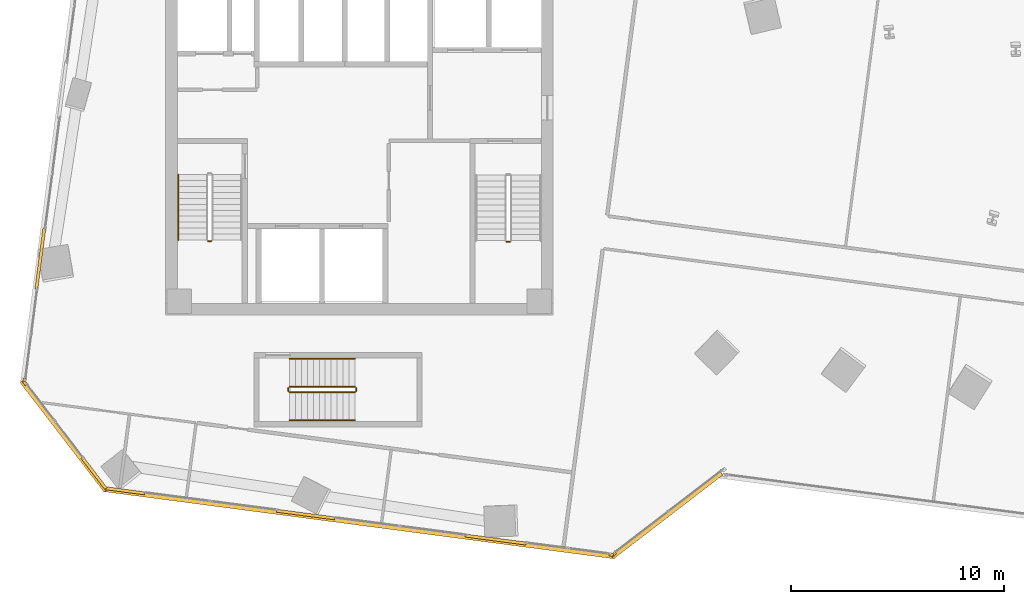
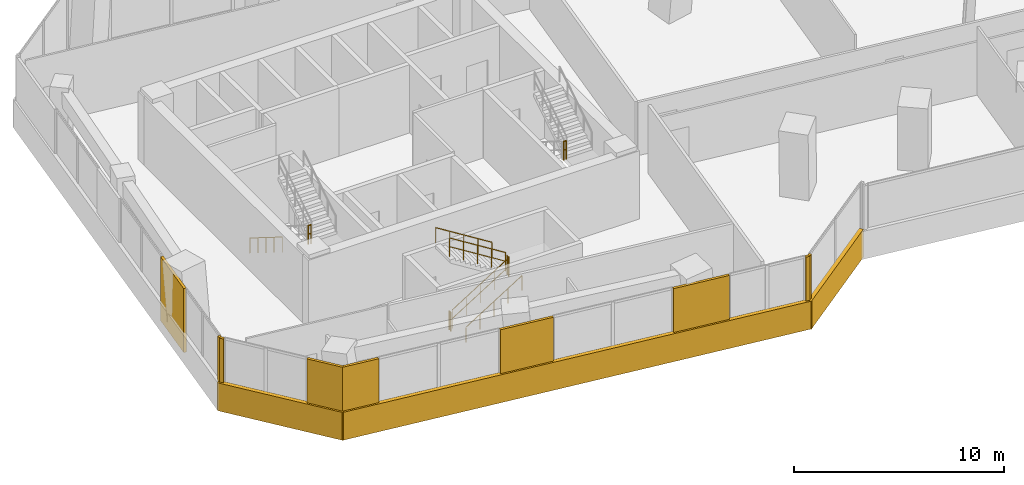
# One storey, part 21 of 24: 12 coverings, 9 railings.
"""IFC4 building model written with IfcOpenShell, lengths in metres."""

from ifc_helpers import new_model, si_unit, direction, frame, origin, origin_2d, place, context, subcontext, project, spatial, rectangle, circle, extrude, source, transform, mapped, material, layer, layer_set, type_object, element, save


model = new_model("IFC4")

# Units and contexts
model_context = context("Model", 3, precision=1e-05, world=origin(), true_north=direction((0.0, 1.0)))
body_context = subcontext(model_context, "Body", "Model", "MODEL_VIEW")
ifc_project = project(units=[si_unit("LENGTHUNIT", "METRE"), si_unit("AREAUNIT", "SQUARE_METRE"), si_unit("VOLUMEUNIT", "CUBIC_METRE"), si_unit("PLANEANGLEUNIT", "RADIAN"), si_unit("MASSUNIT", "GRAM", prefix="KILO")], contexts=[model_context])

# Site, building, storey
site_placement = place(None, origin())
site = spatial("IfcSite", under=ifc_project, at=site_placement, CompositionType="ELEMENT")
building_placement = place(site_placement, origin())
building = spatial("IfcBuilding", under=site, at=building_placement, Name="Torre Montelarca", CompositionType="ELEMENT")
storey_placement = place(building_placement, frame((0.0, 0.0, 66.39990234375)))
storey = spatial("IfcBuildingStorey", under=building, at=storey_placement, Name="L14", CompositionType="ELEMENT", Elevation=66.39990234375)

# Railings
ifc_material_1 = material(Name="Powder-coated steel ASTM A500 Grade C", Category="steel")
railing_type_1 = type_object("IfcRailingType", Name="RL-GUARD-1100", PredefinedType="BALUSTRADE", material=ifc_material_1)
for number, where, name in (
    (1, (10.89990234375, 27.3701171875, 2.10009765625), "L14 ST1 stair guard 2"),
    (2, (24.919921875, 27.340087890625, 2.10009765625), "L14 ST2 stair guard 2"),
):
    element("IfcRailing", number, at=place(storey_placement, frame(where)), inside=storey, type_object=railing_type_1, Name=name, PredefinedType="BALUSTRADE", context=body_context, shape_type="SweptSolid", body=[
        extrude(circle(Radius=0.02392578125, at=origin_2d()), frame((0.0, 0.0, 1.076171875), z_axis=(1.0, 0.0, 0.0), x_axis=(0.0, 1.0, 0.0)), (0.0, 0.0, 1.0), 0.150146484375),
        extrude(circle(Radius=0.02099609375, at=origin_2d()), frame((0.0, 0.0, 0.572021484375), z_axis=(1.0, 0.0, 0.0), x_axis=(0.0, 1.0, 0.0)), (0.0, 0.0, 1.0), 0.150146484375),
        extrude(circle(Radius=0.02099609375, at=origin_2d()), origin(), (0.0, 0.0, 1.0), 1.052001953125),
        extrude(circle(Radius=0.02099609375, at=origin_2d()), frame((0.150146484375, 0.0, 0.0)), (0.0, 0.0, 1.0), 1.052001953125),
    ])
railing_1_placement = place(storey_placement, frame((14.719970703125, 20.27001953125, 0.175048828125)))
element("IfcRailing", 3, at=railing_1_placement, inside=storey, type_object=railing_type_1, Name="L14 ST3 stair guard 1", PredefinedType="BALUSTRADE", context=body_context, shape_type="SweptSolid", body=[
    extrude(circle(Radius=0.02392578125, at=origin_2d()), frame((0.0, 0.0, 1.076171875), z_axis=(0.847998304005, 0.0, 0.529998940003), x_axis=(0.0, 1.0, 0.0)), (0.0, 0.0, 1.0), 3.632080078125),
    extrude(circle(Radius=0.02099609375, at=origin_2d()), frame((0.0, 0.0, 0.572021484375), z_axis=(0.847998304005, 0.0, 0.529998940003), x_axis=(0.0, 1.0, 0.0)), (0.0, 0.0, 1.0), 3.632080078125),
    extrude(circle(Radius=0.02099609375, at=origin_2d()), origin(), (0.0, 0.0, 1.0), 1.052001953125),
    extrude(circle(Radius=0.02099609375, at=origin_2d()), frame((0.77001953125, 0.0, 0.481201171875)), (0.0, 0.0, 1.0), 1.052001953125),
    extrude(circle(Radius=0.02099609375, at=origin_2d()), frame((1.5400390625, 0.0, 0.96240234375)), (0.0, 0.0, 1.0), 1.052001953125),
    extrude(circle(Radius=0.02099609375, at=origin_2d()), frame((2.31005859375, 0.0, 1.44384765625)), (0.0, 0.0, 1.0), 1.052001953125),
    extrude(circle(Radius=0.02099609375, at=origin_2d()), frame((3.080078125, 0.0, 1.925048828125)), (0.0, 0.0, 1.0), 1.052001953125),
])
railing_2_placement = place(storey_placement, frame((17.85009765625, 20.320068359375, 2.10009765625)))
element("IfcRailing", 4, at=railing_2_placement, inside=storey, type_object=railing_type_1, Name="L14 ST3 stair guard 2", PredefinedType="BALUSTRADE", context=body_context, shape_type="SweptSolid", body=[
    extrude(circle(Radius=0.02392578125, at=origin_2d()), frame((0.0, 0.0, 1.076171875), z_axis=(0.0, 1.0, 0.0), x_axis=(-1.0, 0.0, 0.0)), (0.0, 0.0, 1.0), 0.14990234375),
    extrude(circle(Radius=0.02099609375, at=origin_2d()), frame((0.0, 0.0, 0.572021484375), z_axis=(0.0, 1.0, 0.0), x_axis=(-1.0, 0.0, 0.0)), (0.0, 0.0, 1.0), 0.14990234375),
    extrude(circle(Radius=0.02099609375, at=origin_2d()), origin(), (0.0, 0.0, 1.0), 1.052001953125),
    extrude(circle(Radius=0.02099609375, at=origin_2d()), frame((0.0, 0.14990234375, 0.0)), (0.0, 0.0, 1.0), 1.052001953125),
])
railing_3_placement = place(storey_placement, frame((17.800048828125, 20.52001953125, 2.275146484375)))
element("IfcRailing", 5, at=railing_3_placement, inside=storey, type_object=railing_type_1, Name="L14 ST3 stair guard 3", PredefinedType="BALUSTRADE", context=body_context, shape_type="SweptSolid", body=[
    extrude(circle(Radius=0.02392578125, at=origin_2d()), frame((0.0, 0.0, 1.076171875), z_axis=(-0.847998304005, 0.0, 0.529998940003), x_axis=(0.0, -1.0, 0.0)), (0.0, 0.0, 1.0), 3.632080078125),
    extrude(circle(Radius=0.02099609375, at=origin_2d()), frame((0.0, 0.0, 0.572021484375), z_axis=(-0.847998304005, 0.0, 0.529998940003), x_axis=(0.0, -1.0, 0.0)), (0.0, 0.0, 1.0), 3.632080078125),
    extrude(circle(Radius=0.02099609375, at=origin_2d()), origin(), (0.0, 0.0, 1.0), 1.052001953125),
    extrude(circle(Radius=0.02099609375, at=origin_2d()), frame((-0.77001953125, 0.0, 0.481201171875)), (0.0, 0.0, 1.0), 1.052001953125),
    extrude(circle(Radius=0.02099609375, at=origin_2d()), frame((-1.5400390625, 0.0, 0.96240234375)), (0.0, 0.0, 1.0), 1.052001953125),
    extrude(circle(Radius=0.02099609375, at=origin_2d()), frame((-2.31005859375, 0.0, 1.44384765625)), (0.0, 0.0, 1.0), 1.052001953125),
    extrude(circle(Radius=0.02099609375, at=origin_2d()), frame((-3.080078125, 0.0, 1.925048828125)), (0.0, 0.0, 1.0), 1.052001953125),
])
railing_4_placement = place(storey_placement, frame((14.669921875, 20.320068359375, 0.0)))
element("IfcRailing", 6, at=railing_4_placement, inside=storey, type_object=railing_type_1, Name="L14 ST3 stair guard 4", PredefinedType="BALUSTRADE", context=body_context, shape_type="SweptSolid", body=[
    extrude(circle(Radius=0.02392578125, at=origin_2d()), frame((0.0, 0.0, 1.076171875), z_axis=(0.0, 1.0, 0.0), x_axis=(-1.0, 0.0, 0.0)), (0.0, 0.0, 1.0), 0.14990234375),
    extrude(circle(Radius=0.02099609375, at=origin_2d()), frame((0.0, 0.0, 0.572021484375), z_axis=(0.0, 1.0, 0.0), x_axis=(-1.0, 0.0, 0.0)), (0.0, 0.0, 1.0), 0.14990234375),
    extrude(circle(Radius=0.02099609375, at=origin_2d()), origin(), (0.0, 0.0, 1.0), 1.052001953125),
    extrude(circle(Radius=0.02099609375, at=origin_2d()), frame((0.0, 0.14990234375, 0.0)), (0.0, 0.0, 1.0), 1.052001953125),
])
ifc_material_2 = material(Name="Brushed stainless steel AISI 316", Category="steel")
railing_type_2 = type_object("IfcRailingType", Name="RL-HANDRAIL-900", PredefinedType="HANDRAIL", material=ifc_material_2)
railing_5_placement = place(storey_placement, frame((9.5, 30.5, 0.175048828125)))
element("IfcRailing", 7, at=railing_5_placement, inside=storey, type_object=railing_type_2, Name="L14 ST1 stair handrail 1", PredefinedType="HANDRAIL", context=body_context, shape_type="SweptSolid", body=[
    extrude(circle(Radius=0.02392578125, at=origin_2d()), frame((0.0, 0.0, 0.8759765625), z_axis=(0.0, -0.847998304005, 0.529998940003), x_axis=(1.0, 0.0, 0.0)), (0.0, 0.0, 1.0), 3.632080078125),
    extrude(circle(Radius=0.02099609375, at=origin_2d()), origin(), (0.0, 0.0, 1.0), 0.851806640625),
    extrude(circle(Radius=0.02099609375, at=origin_2d()), frame((0.0, -0.77001953125, 0.481201171875)), (0.0, 0.0, 1.0), 0.851806640625),
    extrude(circle(Radius=0.02099609375, at=origin_2d()), frame((0.0, -1.5400390625, 0.96240234375)), (0.0, 0.0, 1.0), 0.851806640625),
    extrude(circle(Radius=0.02099609375, at=origin_2d()), frame((0.0, -2.31005859375, 1.44384765625)), (0.0, 0.0, 1.0), 0.851806640625),
    extrude(circle(Radius=0.02099609375, at=origin_2d()), frame((0.0, -3.080078125, 1.925048828125)), (0.0, 0.0, 1.0), 0.851806640625),
])
railing_6_placement = place(storey_placement, frame((14.719970703125, 18.949951171875, 0.175048828125)))
element("IfcRailing", 8, at=railing_6_placement, inside=storey, type_object=railing_type_2, Name="L14 ST3 stair handrail 1", PredefinedType="HANDRAIL", context=body_context, shape_type="SweptSolid", body=[
    extrude(circle(Radius=0.02392578125, at=origin_2d()), frame((0.0, 0.0, 0.8759765625), z_axis=(0.847998304005, 0.0, 0.529998940003), x_axis=(0.0, 1.0, 0.0)), (0.0, 0.0, 1.0), 3.632080078125),
    extrude(circle(Radius=0.02099609375, at=origin_2d()), origin(), (0.0, 0.0, 1.0), 0.851806640625),
    extrude(circle(Radius=0.02099609375, at=origin_2d()), frame((0.77001953125, 0.0, 0.481201171875)), (0.0, 0.0, 1.0), 0.851806640625),
    extrude(circle(Radius=0.02099609375, at=origin_2d()), frame((1.5400390625, 0.0, 0.96240234375)), (0.0, 0.0, 1.0), 0.851806640625),
    extrude(circle(Radius=0.02099609375, at=origin_2d()), frame((2.31005859375, 0.0, 1.44384765625)), (0.0, 0.0, 1.0), 0.851806640625),
    extrude(circle(Radius=0.02099609375, at=origin_2d()), frame((3.080078125, 0.0, 1.925048828125)), (0.0, 0.0, 1.0), 0.851806640625),
])
railing_7_placement = place(storey_placement, frame((17.800048828125, 21.840087890625, 2.275146484375)))
element("IfcRailing", 9, at=railing_7_placement, inside=storey, type_object=railing_type_2, Name="L14 ST3 stair handrail 2", PredefinedType="HANDRAIL", context=body_context, shape_type="SweptSolid", body=[
    extrude(circle(Radius=0.02392578125, at=origin_2d()), frame((0.0, 0.0, 0.8759765625), z_axis=(-0.847998304005, 0.0, 0.529998940003), x_axis=(0.0, -1.0, 0.0)), (0.0, 0.0, 1.0), 3.632080078125),
    extrude(circle(Radius=0.02099609375, at=origin_2d()), origin(), (0.0, 0.0, 1.0), 0.851806640625),
    extrude(circle(Radius=0.02099609375, at=origin_2d()), frame((-0.77001953125, 0.0, 0.481201171875)), (0.0, 0.0, 1.0), 0.851806640625),
    extrude(circle(Radius=0.02099609375, at=origin_2d()), frame((-1.5400390625, 0.0, 0.96240234375)), (0.0, 0.0, 1.0), 0.851806640625),
    extrude(circle(Radius=0.02099609375, at=origin_2d()), frame((-2.31005859375, 0.0, 1.44384765625)), (0.0, 0.0, 1.0), 0.851806640625),
    extrude(circle(Radius=0.02099609375, at=origin_2d()), frame((-3.080078125, 0.0, 1.925048828125)), (0.0, 0.0, 1.0), 0.851806640625),
])

# Coverings
ifc_material_3 = material(Name="Bush-hammered warm white precast concrete C45/55", Category="concrete")
ifc_layer = layer(ifc_material_3, 0.139892578125, Name="Bush-hammered warm white precast concrete C45/55", Category="concrete")
ifc_layer_set = layer_set([ifc_layer], Name="Bush-hammered warm white precast concrete C45/55")
covering_type = type_object("IfcCoveringType", Name="COV-TRAY-CLAD", PredefinedType="CLADDING", material=ifc_layer_set)
shared_shape_1 = source(origin(), body_context, "Body", "SweptSolid", [
    extrude(rectangle(XDim=24.219970703125, YDim=0.219970703125, at=origin_2d()), origin(), (0.0, 0.0, 1.0), 1.6201171875),
])
covering_1_placement = place(storey_placement, frame((17.98828125, 14.135498046875, -0.449951171875), z_axis=(0.0, 0.0, 1.0), x_axis=(0.99144531699, -0.130522731424, 0.0)))
element("IfcCovering", 10, at=covering_1_placement, inside=storey, type_object=covering_type, Name="L14 Architectural White Spandrel Tray Band TRYBOT-01", PredefinedType="CLADDING", context=body_context, shape_type="MappedRepresentation", body=[
    mapped(shared_shape_1, transform((0.0, 0.0, 0.0), scale=1.0)),
])
shared_shape_2 = source(origin(), body_context, "Body", "SweptSolid", [
    extrude(rectangle(XDim=6.48388671875, YDim=0.219970703125, at=origin_2d()), origin(), (0.0, 0.0, 1.0), 1.6201171875),
])
for number, where, z_axis, x_axis, name in (
    (11, (32.437255859375, 14.493896484375, -0.449951171875), (0.0, 0.0, 1.0), (0.793352277801, 0.608762813671, 0.0), "L14 Architectural White Spandrel Tray Band TRYBOT-02"),
    (12, (4.1240234375, 18.22119140625, -0.449951171875), (0.0, 0.0, 1.0), (0.608765582989, -0.793350152813, 0.0), "L14 Architectural White Spandrel Tray Band TRYBOT-11"),
):
    element("IfcCovering", number, at=place(storey_placement, frame(where, z_axis=z_axis, x_axis=x_axis)), inside=storey, type_object=covering_type, Name=name, PredefinedType="CLADDING", context=body_context, shape_type="MappedRepresentation", body=[
        mapped(shared_shape_2, transform((0.0, 0.0, 0.0), scale=1.0)),
    ])
shared_shape_3 = source(origin(), body_context, "Body", "SweptSolid", [
    extrude(rectangle(XDim=1.864013671875, YDim=0.139892578125, at=origin_2d()), origin(), (0.0, 0.0, 1.0), 3.719970703125),
])
covering_2_placement = place(storey_placement, frame((6.989013671875, 15.64404296875, 0.0), z_axis=(0.0, 0.0, 1.0), x_axis=(0.99144531699, -0.130522731424, 0.0)))
element("IfcCovering", 13, at=covering_2_placement, inside=storey, type_object=covering_type, Name="L14 Architectural Column Pier Cladding E01-1", PredefinedType="CLADDING", context=body_context, shape_type="MappedRepresentation", body=[
    mapped(shared_shape_3, transform((0.0, 0.0, 0.0), scale=1.0)),
])
shared_shape_4 = source(origin(), body_context, "Body", "SweptSolid", [
    extrude(rectangle(XDim=2.734375, YDim=0.139892578125, at=origin_2d()), origin(), (0.0, 0.0, 1.0), 3.719970703125),
])
covering_3_placement = place(storey_placement, frame((15.48046875, 14.526123046875, 0.0), z_axis=(0.0, 0.0, 1.0), x_axis=(0.99144531699, -0.130522731424, 0.0)))
element("IfcCovering", 14, at=covering_3_placement, inside=storey, type_object=covering_type, Name="L14 Architectural Column Pier Cladding E01-2", PredefinedType="CLADDING", context=body_context, shape_type="MappedRepresentation", body=[
    mapped(shared_shape_4, transform((0.0, 0.0, 0.0), scale=1.0)),
])
shared_shape_5 = source(origin(), body_context, "Body", "SweptSolid", [
    extrude(rectangle(XDim=2.886474609375, YDim=0.139892578125, at=origin_2d()), origin(), (0.0, 0.0, 1.0), 3.719970703125),
])
covering_4_placement = place(storey_placement, frame((24.402587890625, 13.3515625, 0.0), z_axis=(0.0, 0.0, 1.0), x_axis=(0.99144531699, -0.130522731424, 0.0)))
element("IfcCovering", 15, at=covering_4_placement, inside=storey, type_object=covering_type, Name="L14 Architectural Column Pier Cladding E01-3", PredefinedType="CLADDING", context=body_context, shape_type="MappedRepresentation", body=[
    mapped(shared_shape_5, transform((0.0, 0.0, 0.0), scale=1.0)),
])
shared_shape_6 = source(origin(), body_context, "Body", "SweptSolid", [
    extrude(rectangle(XDim=0.199951171875, YDim=0.139892578125, at=origin_2d()), origin(), (0.0, 0.0, 1.0), 3.719970703125),
])
for number, where, z_axis, x_axis, name in (
    (16, (29.828125, 12.637451171875, 0.0), (0.0, 0.0, 1.0), (0.99144531699, -0.130522731424, 0.0), "L14 Architectural Column Pier Cladding E01-4"),
    (17, (29.96826171875, 12.6748046875, 0.0), (0.0, 0.0, 1.0), (0.793349090315, 0.608766967645, 0.0), "L14 Architectural Column Pier Cladding E02-1"),
    (18, (2.267578125, 20.83056640625, 0.0), (0.0, 0.0, 1.0), (-0.130527922618, -0.991444633561, 0.0), "L14 Architectural Column Pier Cladding E10-5"),
    (19, (2.30517578125, 20.6904296875, 0.0), (0.0, 0.0, 1.0), (0.608773890899, -0.793343777791, 0.0), "L14 Architectural Column Pier Cladding E11-1"),
):
    element("IfcCovering", number, at=place(storey_placement, frame(where, z_axis=z_axis, x_axis=x_axis)), inside=storey, type_object=covering_type, Name=name, PredefinedType="CLADDING", context=body_context, shape_type="MappedRepresentation", body=[
        mapped(shared_shape_6, transform((0.0, 0.0, 0.0), scale=1.0)),
    ])
shared_shape_7 = source(origin(), body_context, "Body", "SweptSolid", [
    extrude(rectangle(XDim=2.87939453125, YDim=0.139892578125, at=origin_2d()), origin(), (0.0, 0.0, 1.0), 3.719970703125),
])
covering_5_placement = place(storey_placement, frame((3.0205078125, 26.55029296875, 0.0), z_axis=(0.0, 0.0, 1.0), x_axis=(-0.130527922618, -0.991444633561, 0.0)))
element("IfcCovering", 20, at=covering_5_placement, inside=storey, type_object=covering_type, Name="L14 Architectural Column Pier Cladding E10-4", PredefinedType="CLADDING", context=body_context, shape_type="MappedRepresentation", body=[
    mapped(shared_shape_7, transform((0.0, 0.0, 0.0), scale=1.0)),
])
shared_shape_8 = source(origin(), body_context, "Body", "SweptSolid", [
    extrude(rectangle(XDim=1.835205078125, YDim=0.139892578125, at=origin_2d()), origin(), (0.0, 0.0, 1.0), 3.719970703125),
])
covering_6_placement = place(storey_placement, frame((5.54052734375, 16.47412109375, 0.0), z_axis=(0.0, 0.0, 1.0), x_axis=(0.608773890899, -0.793343777791, 0.0)))
element("IfcCovering", 21, at=covering_6_placement, inside=storey, type_object=covering_type, Name="L14 Architectural Column Pier Cladding E11-2", PredefinedType="CLADDING", context=body_context, shape_type="MappedRepresentation", body=[
    mapped(shared_shape_8, transform((0.0, 0.0, 0.0), scale=1.0)),
])

save(model, "model.ifc")
